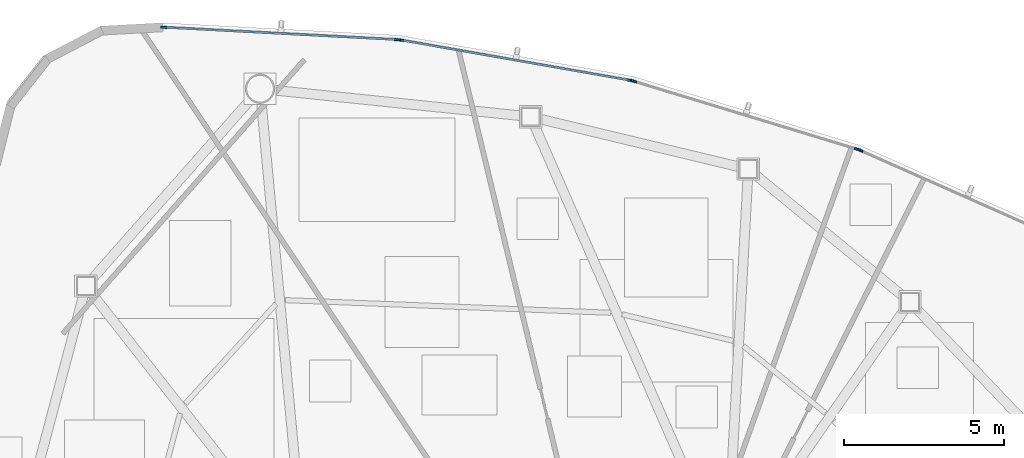
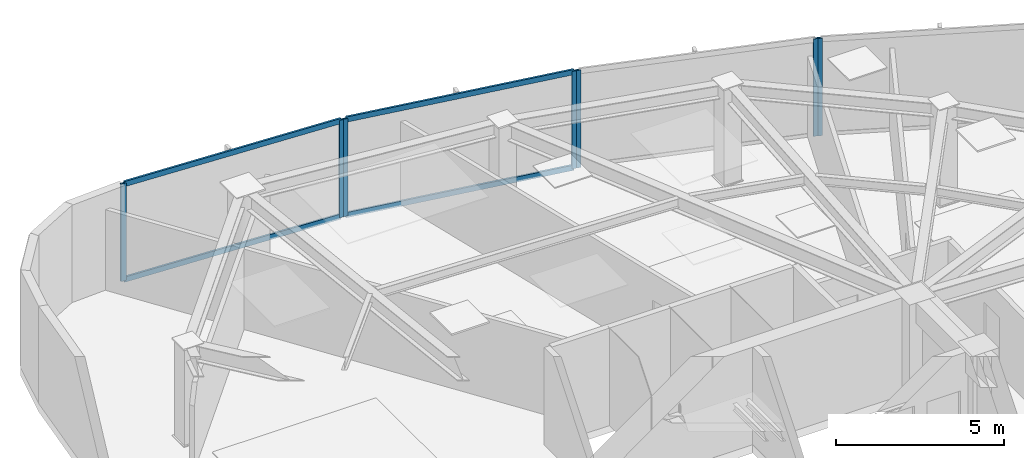
# One storey, part 8 of 17: 11 members, 4 elements without a shape of their own.
"""IFC4 building model written with IfcOpenShell, lengths in metres."""

from ifc_helpers import new_model, si_unit, direction, frame, origin, origin_2d, place, context, subcontext, project, spatial, hollow_rectangle, extrude, source, transform, mapped, material, layer, layer_set, material_profile, profile_set, type_object, type_shapes, element, aggregate, save


model = new_model("IFC4")

# Units and contexts
model_context = context("Model", 3, precision=1e-05, world=origin(), true_north=direction((0.0, 1.0)))
body_context = subcontext(model_context, "Body", "Model", "MODEL_VIEW")
ifc_project = project(units=[si_unit("LENGTHUNIT", "METRE"), si_unit("AREAUNIT", "SQUARE_METRE"), si_unit("VOLUMEUNIT", "CUBIC_METRE"), si_unit("PLANEANGLEUNIT", "RADIAN"), si_unit("MASSUNIT", "GRAM", prefix="KILO")], contexts=[model_context])

# Site, building, storey
site_placement = place(None, origin())
site = spatial("IfcSite", under=ifc_project, at=site_placement, CompositionType="ELEMENT")
building_placement = place(site_placement, origin())
building = spatial("IfcBuilding", under=site, at=building_placement, Name="Tavelor Broadcast Tower", CompositionType="ELEMENT")
storey_placement = place(building_placement, frame((0.0, 0.0, 200.300048828125)))
storey = spatial("IfcBuildingStorey", under=building, at=storey_placement, Name="L48", CompositionType="ELEMENT", Elevation=200.300048828125)

# Curtain wall, member
ifc_material = material(Name="Architectural Anodized Aluminium", Category="aluminium")
ifc_layer = layer(ifc_material, 0.18994140625)
ifc_layer_set = layer_set([ifc_layer], Name="Architectural Anodized Aluminium")
curtain_wall_type = type_object("IfcCurtainWallType", Name="Tower Mid-Zone Acoustic Curtain Wall CW03", PredefinedType="NOTDEFINED", material=ifc_layer_set)
curtain_wall_1_placement = place(storey_placement, origin())
curtain_wall_1 = element("IfcCurtainWall", 1, at=curtain_wall_1_placement, inside=storey, type_object=curtain_wall_type, Name="L48 Curtain Wall CW03 Run 525", PredefinedType="NOTDEFINED")
ifc_material_profile_1 = material_profile(ifc_material, hollow_rectangle(XDim=0.068115234375, YDim=0.18994140625, WallThickness=0.02197265625, at=origin_2d()), Name="RHS 68x190x22")
ifc_profile_set_1 = profile_set([ifc_material_profile_1], Name="Architectural Anodized Aluminium")
member_type_1 = type_object("IfcMemberType", Name="CW03 Extruded Aluminium Mullion 68x190", PredefinedType="MULLION", material=ifc_profile_set_1)
shared_shape_1 = source(origin(), body_context, "Body", "SweptSolid", [
    extrude(hollow_rectangle(XDim=0.068115234375, YDim=0.18994140625, WallThickness=0.02197265625, at=origin_2d()), origin(), (0.0, 0.0, 1.0), 3.550048828125),
])
type_shapes(member_type_1, [shared_shape_1])
member_1_placement = place(storey_placement, frame((60.775390625, 64.153564453125, 0.0), z_axis=(0.0, 0.0, 1.0), x_axis=(-0.404748967527, -0.914427839299, 0.0)))
member_1 = element("IfcMember", 2, at=member_1_placement, type_object=member_type_1, Name="CW03 mullion 2", PredefinedType="MULLION", context=body_context, shape_type="MappedRepresentation", body=[
    mapped(shared_shape_1, transform((0.0, 0.0, 0.0), scale=1.0)),
])
aggregate(curtain_wall_1, [member_1])

# Curtain wall, members
curtain_wall_2_placement = place(storey_placement, origin())
curtain_wall_2 = element("IfcCurtainWall", 3, at=curtain_wall_2_placement, inside=storey, type_object=curtain_wall_type, Name="L48 Curtain Wall CW03 Run 526", PredefinedType="NOTDEFINED")
member_2_placement = place(storey_placement, frame((60.68359375, 64.1875, 0.0), z_axis=(0.0, 0.0, 1.0), x_axis=(-0.291113579951, -0.956688498712, 0.0)))
member_2 = element("IfcMember", 4, at=member_2_placement, type_object=member_type_1, Name="CW03 mullion 1", PredefinedType="MULLION", context=body_context, shape_type="MappedRepresentation", body=[
    mapped(shared_shape_1, transform((0.0, 0.0, 0.0), scale=1.0)),
])
member_3_placement = place(storey_placement, frame((53.6953125, 66.314208984375, 0.0), z_axis=(0.0, 0.0, 1.0), x_axis=(-0.291113579951, -0.956688498712, 0.0)))
member_3 = element("IfcMember", 5, at=member_3_placement, type_object=member_type_1, Name="CW03 mullion 2", PredefinedType="MULLION", context=body_context, shape_type="MappedRepresentation", body=[
    mapped(shared_shape_1, transform((0.0, 0.0, 0.0), scale=1.0)),
])
aggregate(curtain_wall_2, [member_2, member_3])

curtain_wall_3_placement = place(storey_placement, origin())
curtain_wall_3 = element("IfcCurtainWall", 6, at=curtain_wall_3_placement, inside=storey, type_object=curtain_wall_type, Name="L48 Curtain Wall CW03 Run 527", PredefinedType="NOTDEFINED")
member_4_placement = place(storey_placement, frame((53.60009765625, 66.3369140625, 0.0), z_axis=(0.0, 0.0, 1.0), x_axis=(-0.173205760492, -0.984885660639, 0.0)))
member_4 = element("IfcMember", 7, at=member_4_placement, type_object=member_type_1, Name="CW03 mullion 1", PredefinedType="MULLION", context=body_context, shape_type="MappedRepresentation", body=[
    mapped(shared_shape_1, transform((0.0, 0.0, 0.0), scale=1.0)),
])
member_5_placement = place(storey_placement, frame((46.406005859375, 67.60205078125, 0.0), z_axis=(0.0, 0.0, 1.0), x_axis=(-0.173205760492, -0.984885660639, 0.0)))
member_5 = element("IfcMember", 8, at=member_5_placement, type_object=member_type_1, Name="CW03 mullion 2", PredefinedType="MULLION", context=body_context, shape_type="MappedRepresentation", body=[
    mapped(shared_shape_1, transform((0.0, 0.0, 0.0), scale=1.0)),
])

curtain_wall_4_placement = place(storey_placement, origin())
curtain_wall_4 = element("IfcCurtainWall", 9, at=curtain_wall_4_placement, inside=storey, type_object=curtain_wall_type, Name="L48 Curtain Wall CW03 Run 528", PredefinedType="NOTDEFINED")
member_6_placement = place(storey_placement, frame((46.30859375, 67.61328125, 0.0), z_axis=(0.0, 0.0, 1.0), x_axis=(-0.052743528079, -0.998608091418, 0.0)))
member_6 = element("IfcMember", 10, at=member_6_placement, type_object=member_type_1, Name="CW03 mullion 1", PredefinedType="MULLION", context=body_context, shape_type="MappedRepresentation", body=[
    mapped(shared_shape_1, transform((0.0, 0.0, 0.0), scale=1.0)),
])
member_7_placement = place(storey_placement, frame((38.998291015625, 67.999267578125, 0.0), z_axis=(0.0, 0.0, 1.0), x_axis=(-0.052743528079, -0.998608091418, 0.0)))
member_7 = element("IfcMember", 11, at=member_7_placement, type_object=member_type_1, Name="CW03 mullion 2", PredefinedType="MULLION", context=body_context, shape_type="MappedRepresentation", body=[
    mapped(shared_shape_1, transform((0.0, 0.0, 0.0), scale=1.0)),
])

# Member
ifc_material_profile_2 = material_profile(ifc_material, hollow_rectangle(XDim=0.068115234375, YDim=0.18994140625, WallThickness=0.02197265625, at=origin_2d()), Name="RHS 68x190x22")
ifc_profile_set_2 = profile_set([ifc_material_profile_2], Name="Architectural Anodized Aluminium")
member_type_2 = type_object("IfcMemberType", Name="CW03 Extruded Aluminium Transom 68x190", PredefinedType="USERDEFINED", material=ifc_profile_set_2)
shared_shape_2 = source(origin(), body_context, "Body", "SweptSolid", [
    extrude(hollow_rectangle(XDim=0.068115234375, YDim=0.18994140625, WallThickness=0.02197265625, at=origin_2d()), origin(), (0.0, 0.0, 1.0), 7.236572265625),
])
member_8_placement = place(storey_placement, frame((53.566650390625, 66.3427734375, 0.033935546875), z_axis=(-0.984885618475, 0.173206000248, 0.0), x_axis=(-0.173206000248, -0.984885618475, 0.0)))
member_8 = element("IfcMember", 12, at=member_8_placement, type_object=member_type_2, Name="CW03 transom 1.1", ObjectType="TRANSOM", PredefinedType="USERDEFINED", context=body_context, shape_type="MappedRepresentation", body=[
    mapped(shared_shape_2, transform((0.0, 0.0, 0.0), scale=1.0)),
])

member_9_placement = place(storey_placement, frame((53.566650390625, 66.3427734375, 3.515869140625), z_axis=(-0.984885618475, 0.173206000248, 0.0), x_axis=(-0.173206000248, -0.984885618475, 0.0)))
member_9 = element("IfcMember", 13, at=member_9_placement, type_object=member_type_2, Name="CW03 transom 1.2", ObjectType="TRANSOM", PredefinedType="USERDEFINED", context=body_context, shape_type="MappedRepresentation", body=[
    mapped(shared_shape_2, transform((0.0, 0.0, 0.0), scale=1.0)),
])

aggregate(curtain_wall_3, [member_4, member_5, member_8, member_9])

shared_shape_3 = source(origin(), body_context, "Body", "SweptSolid", [
    extrude(hollow_rectangle(XDim=0.068115234375, YDim=0.18994140625, WallThickness=0.02197265625, at=origin_2d()), origin(), (0.0, 0.0, 1.0), 7.25244140625),
])
type_shapes(member_type_2, [shared_shape_2, shared_shape_3])
member_10_placement = place(storey_placement, frame((46.274658203125, 67.614990234375, 0.033935546875), z_axis=(-0.998607768048, 0.052749650178, 0.0), x_axis=(-0.052749650178, -0.998607768048, 0.0)))
member_10 = element("IfcMember", 14, at=member_10_placement, type_object=member_type_2, Name="CW03 transom 1.1", ObjectType="TRANSOM", PredefinedType="USERDEFINED", context=body_context, shape_type="MappedRepresentation", body=[
    mapped(shared_shape_3, transform((0.0, 0.0, 0.0), scale=1.0)),
])

member_11_placement = place(storey_placement, frame((46.274658203125, 67.614990234375, 3.515869140625), z_axis=(-0.998607768048, 0.052749650178, 0.0), x_axis=(-0.052749650178, -0.998607768048, 0.0)))
member_11 = element("IfcMember", 15, at=member_11_placement, type_object=member_type_2, Name="CW03 transom 1.2", ObjectType="TRANSOM", PredefinedType="USERDEFINED", context=body_context, shape_type="MappedRepresentation", body=[
    mapped(shared_shape_3, transform((0.0, 0.0, 0.0), scale=1.0)),
])

aggregate(curtain_wall_4, [member_6, member_7, member_10, member_11])

save(model, "model.ifc")
